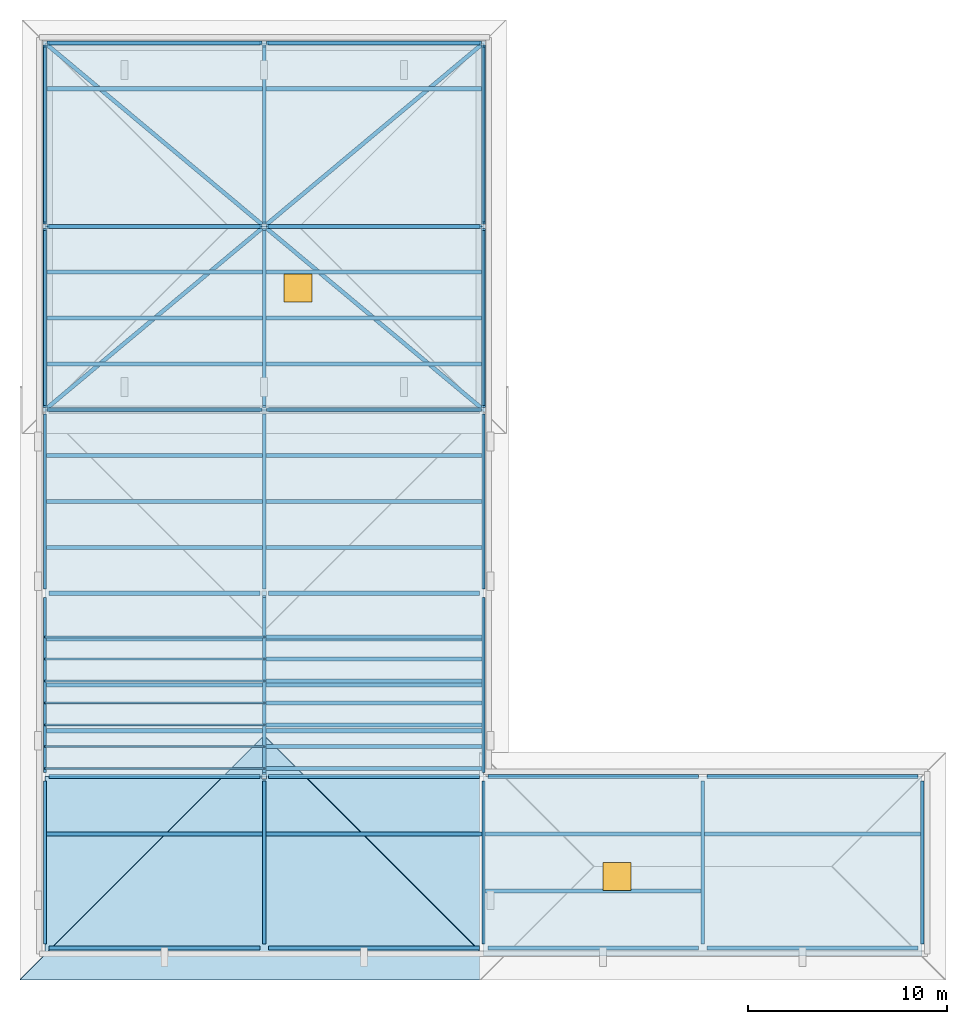
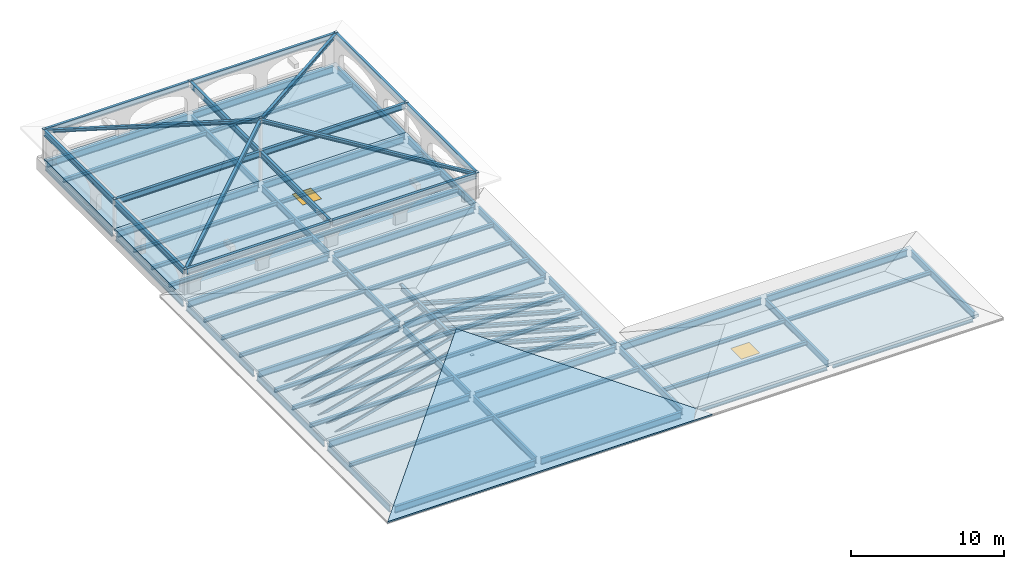
"""IFC4 building model written with IfcOpenShell, lengths in metres."""

from ifc_helpers import new_model, si_unit, direction, frame, origin, origin_2d, place, context, subcontext, project, spatial, polyline, rectangle, hollow_rectangle, i_section, outline, extrude, material, layer, layer_set, material_profile, profile_set, type_object, element, fill, save


model = new_model("IFC4")

# Units and contexts
model_context = context("Model", 3, precision=1e-05, world=origin(), true_north=direction((0.0, 1.0)))
body_context = subcontext(model_context, "Body", "Model", "MODEL_VIEW")
ifc_project = project(units=[si_unit("LENGTHUNIT", "METRE"), si_unit("AREAUNIT", "SQUARE_METRE"), si_unit("VOLUMEUNIT", "CUBIC_METRE"), si_unit("PLANEANGLEUNIT", "RADIAN"), si_unit("MASSUNIT", "GRAM", prefix="KILO")], contexts=[model_context])

# Site, building, storey
site_placement = place(None, origin())
site = spatial("IfcSite", under=ifc_project, at=site_placement, CompositionType="ELEMENT")
building_placement = place(site_placement, origin())
building = spatial("IfcBuilding", under=site, at=building_placement, Name="Caurita Quay Ferry Terminal", CompositionType="ELEMENT")
storey_1_placement = place(building_placement, frame((0.0, 0.0, 22.5)))
storey_1 = spatial("IfcBuildingStorey", under=building, at=storey_1_placement, Name="RF", CompositionType="ELEMENT", Elevation=22.5)

# Beams
ifc_material_1 = material(Name="Structural steel ASTM A992 Gr. 50", Category="steel")
ifc_material_profile_1 = material_profile(ifc_material_1, i_section(OverallWidth=0.193115234375, OverallDepth=0.46728515625, WebThickness=0.011474609375, FlangeThickness=0.01904296875, FilletRadius=0.0126953125, at=origin_2d()), Name="W18X65")
ifc_profile_set_1 = profile_set([ifc_material_profile_1], Name="Structural steel ASTM A992 Gr. 50")
beam_type_1 = type_object("IfcBeamType", Name="BM-GR-W18A", PredefinedType="BEAM", material=ifc_profile_set_1)
beam_1_placement = place(storey_1_placement, frame((11.0, 80.199951171875, 2.679931640625), z_axis=(0.0, 1.0, 0.0), x_axis=(-1.0, 0.0, 0.0)))
element("IfcBeam", 1, at=beam_1_placement, inside=storey_1, type_object=beam_type_1, Name="Spanish Colonial Roof Ridge Beam", PredefinedType="BEAM", context=body_context, shape_type="SweptSolid", body=[
    extrude(i_section(OverallWidth=0.193115234375, OverallDepth=0.46728515625, WebThickness=0.011474609375, FlangeThickness=0.01904296875, FilletRadius=0.0126953125, at=origin_2d()), origin(), (0.0, 0.0, 1.0), 9.199951171875),
])
for number, where, z_axis, x_axis, name in (
    (2, (0.090087890625, 98.60009765625, 2.169921875), (1.0, 0.0, 0.0), (0.0, 1.0, 0.0), "Mirador Belvedere Eave Ring Beam 01"),
    (3, (11.090087890625, 98.60009765625, 2.169921875), (1.0, 0.0, 0.0), (0.0, 1.0, 0.0), "Mirador Belvedere Eave Ring Beam 02"),
    (4, (0.090087890625, 117.0, 2.169921875), (1.0, 0.0, 0.0), (0.0, 1.0, 0.0), "Mirador Belvedere Eave Ring Beam 03"),
    (5, (11.090087890625, 117.0, 2.169921875), (1.0, 0.0, 0.0), (0.0, 1.0, 0.0), "Mirador Belvedere Eave Ring Beam 04"),
):
    element("IfcBeam", number, at=place(storey_1_placement, frame(where, z_axis=z_axis, x_axis=x_axis)), inside=storey_1, type_object=beam_type_1, Name=name, PredefinedType="BEAM", context=body_context, shape_type="SweptSolid", body=[
        extrude(i_section(OverallWidth=0.193115234375, OverallDepth=0.46728515625, WebThickness=0.011474609375, FlangeThickness=0.01904296875, FilletRadius=0.0126953125, at=origin_2d()), origin(), (0.0, 0.0, 1.0), 10.81982421875),
    ])
for number, where, z_axis, x_axis, name in (
    (6, (0.0, 98.68994140625, 2.169921875), (0.0, 1.0, 0.0), (-1.0, 0.0, 0.0), "Mirador Belvedere Eave Ring Beam 05"),
    (7, (0.0, 107.889892578125, 2.169921875), (0.0, 1.0, 0.0), (-1.0, 0.0, 0.0), "Mirador Belvedere Eave Ring Beam 06"),
    (8, (22.0, 98.68994140625, 2.169921875), (0.0, 1.0, 0.0), (-1.0, 0.0, 0.0), "Mirador Belvedere Eave Ring Beam 07"),
    (9, (22.0, 107.889892578125, 2.169921875), (0.0, 1.0, 0.0), (-1.0, 0.0, 0.0), "Mirador Belvedere Eave Ring Beam 08"),
):
    element("IfcBeam", number, at=place(storey_1_placement, frame(where, z_axis=z_axis, x_axis=x_axis)), inside=storey_1, type_object=beam_type_1, Name=name, PredefinedType="BEAM", context=body_context, shape_type="SweptSolid", body=[
        extrude(i_section(OverallWidth=0.193115234375, OverallDepth=0.46728515625, WebThickness=0.011474609375, FlangeThickness=0.01904296875, FilletRadius=0.0126953125, at=origin_2d()), origin(), (0.0, 0.0, 1.0), 9.02001953125),
    ])
for number, where, z_axis, x_axis, name in (
    (10, (0.090087890625, 107.800048828125, 2.169921875), (1.0, 0.0, 0.0), (0.0, 1.0, 0.0), "Mirador Belvedere Eave Ring Beam 09"),
    (11, (11.090087890625, 107.800048828125, 2.169921875), (1.0, 0.0, 0.0), (0.0, 1.0, 0.0), "Mirador Belvedere Eave Ring Beam 10"),
):
    element("IfcBeam", number, at=place(storey_1_placement, frame(where, z_axis=z_axis, x_axis=x_axis)), inside=storey_1, type_object=beam_type_1, Name=name, PredefinedType="BEAM", context=body_context, shape_type="SweptSolid", body=[
        extrude(i_section(OverallWidth=0.193115234375, OverallDepth=0.46728515625, WebThickness=0.011474609375, FlangeThickness=0.01904296875, FilletRadius=0.0126953125, at=origin_2d()), origin(), (0.0, 0.0, 1.0), 10.81982421875),
    ])
for number, where, z_axis, x_axis, name in (
    (12, (11.0, 98.68994140625, 2.169921875), (0.0, 1.0, 0.0), (-1.0, 0.0, 0.0), "Mirador Belvedere Eave Ring Beam 11"),
    (13, (11.0, 107.889892578125, 2.169921875), (0.0, 1.0, 0.0), (-1.0, 0.0, 0.0), "Mirador Belvedere Eave Ring Beam 12"),
):
    element("IfcBeam", number, at=place(storey_1_placement, frame(where, z_axis=z_axis, x_axis=x_axis)), inside=storey_1, type_object=beam_type_1, Name=name, PredefinedType="BEAM", context=body_context, shape_type="SweptSolid", body=[
        extrude(i_section(OverallWidth=0.193115234375, OverallDepth=0.46728515625, WebThickness=0.011474609375, FlangeThickness=0.01904296875, FilletRadius=0.0126953125, at=origin_2d()), origin(), (0.0, 0.0, 1.0), 9.02001953125),
    ])
ifc_material_profile_2 = material_profile(ifc_material_1, i_section(OverallWidth=0.210693359375, OverallDepth=0.53857421875, WebThickness=0.01171875, FlangeThickness=0.018798828125, FilletRadius=0.013916015625, at=origin_2d()), Name="W21X73")
ifc_profile_set_2 = profile_set([ifc_material_profile_2], Name="Structural steel ASTM A992 Gr. 50")
beam_type_2 = type_object("IfcBeamType", Name="BM-GR-W21A", PredefinedType="BEAM", material=ifc_profile_set_2)
for number, where, z_axis, x_axis, name in (
    (14, (0.21240234375, 71.60009765625, -0.479248046875), (1.0, 0.0, 0.0), (0.0, 1.0, 0.0), "RF Beam BM-V5-RF-X-2-716"),
    (15, (11.21240234375, 71.60009765625, -0.479248046875), (1.0, 0.0, 0.0), (0.0, 1.0, 0.0), "RF Beam BM-V5-RF-X-112-716"),
    (16, (22.21240234375, 71.60009765625, -0.479248046875), (1.0, 0.0, 0.0), (0.0, 1.0, 0.0), "RF Beam BM-V5-RF-X-222-716"),
    (17, (33.21240234375, 71.60009765625, -0.479248046875), (1.0, 0.0, 0.0), (0.0, 1.0, 0.0), "RF Beam BM-V5-RF-X-332-716"),
    (18, (0.21240234375, 80.199951171875, -0.479248046875), (1.0, 0.0, 0.0), (0.0, 1.0, 0.0), "RF Beam BM-V5-RF-X-2-802"),
    (19, (11.21240234375, 80.199951171875, -0.479248046875), (1.0, 0.0, 0.0), (0.0, 1.0, 0.0), "RF Beam BM-V5-RF-X-112-802"),
    (20, (22.21240234375, 80.199951171875, -0.479248046875), (1.0, 0.0, 0.0), (0.0, 1.0, 0.0), "RF Beam BM-V5-RF-X-222-802"),
    (21, (33.21240234375, 80.199951171875, -0.479248046875), (1.0, 0.0, 0.0), (0.0, 1.0, 0.0), "RF Beam BM-V5-RF-X-332-802"),
    (22, (0.21240234375, 89.39990234375, -0.479248046875), (1.0, 0.0, 0.0), (0.0, 1.0, 0.0), "RF Beam BM-V5-RF-X-2-894"),
    (23, (11.21240234375, 89.39990234375, -0.479248046875), (1.0, 0.0, 0.0), (0.0, 1.0, 0.0), "RF Beam BM-V5-RF-X-112-894"),
    (24, (0.21240234375, 98.60009765625, -0.479248046875), (1.0, 0.0, 0.0), (0.0, 1.0, 0.0), "RF Beam BM-V5-RF-X-2-986"),
    (25, (11.21240234375, 98.60009765625, -0.479248046875), (1.0, 0.0, 0.0), (0.0, 1.0, 0.0), "RF Beam BM-V5-RF-X-112-986"),
    (26, (0.21240234375, 107.800048828125, -0.479248046875), (1.0, 0.0, 0.0), (0.0, 1.0, 0.0), "RF Beam BM-V5-RF-X-2-1078"),
    (27, (11.21240234375, 107.800048828125, -0.479248046875), (1.0, 0.0, 0.0), (0.0, 1.0, 0.0), "RF Beam BM-V5-RF-X-112-1078"),
    (28, (0.21240234375, 117.0, -0.479248046875), (1.0, 0.0, 0.0), (0.0, 1.0, 0.0), "RF Beam BM-V5-RF-X-2-1170"),
    (29, (11.21240234375, 117.0, -0.479248046875), (1.0, 0.0, 0.0), (0.0, 1.0, 0.0), "RF Beam BM-V5-RF-X-112-1170"),
):
    element("IfcBeam", number, at=place(storey_1_placement, frame(where, z_axis=z_axis, x_axis=x_axis)), inside=storey_1, type_object=beam_type_2, Name=name, PredefinedType="BEAM", context=body_context, shape_type="SweptSolid", body=[
        extrude(i_section(OverallWidth=0.210693359375, OverallDepth=0.53857421875, WebThickness=0.01171875, FlangeThickness=0.018798828125, FilletRadius=0.013916015625, at=origin_2d()), origin(), (0.0, 0.0, 1.0), 10.5751953125),
    ])
ifc_material_profile_3 = material_profile(ifc_material_1, i_section(OverallWidth=0.20458984375, OverallDepth=0.307373046875, WebThickness=0.008544921875, FlangeThickness=0.0146484375, FilletRadius=0.0126953125, at=origin_2d()), Name="W12X45")
ifc_profile_set_3 = profile_set([ifc_material_profile_3], Name="Structural steel ASTM A992 Gr. 50")
beam_type_3 = type_object("IfcBeamType", Name="BM-JS-W12B", PredefinedType="JOIST", material=ifc_profile_set_3)
for number, where, z_axis, x_axis, name in (
    (30, (0.083251953125, 77.333251953125, -0.363525390625), (1.0, 0.0, 0.0), (0.0, 1.0, 0.0), "RF Beam JS-V5-RF-001"),
    (31, (0.083251953125, 82.5, -0.363525390625), (1.0, 0.0, 0.0), (0.0, 1.0, 0.0), "RF Beam JS-V5-RF-002"),
    (32, (0.083251953125, 84.800048828125, -0.363525390625), (1.0, 0.0, 0.0), (0.0, 1.0, 0.0), "RF Beam JS-V5-RF-003"),
    (33, (0.083251953125, 87.10009765625, -0.363525390625), (1.0, 0.0, 0.0), (0.0, 1.0, 0.0), "RF Beam JS-V5-RF-004"),
    (34, (0.083251953125, 91.699951171875, -0.363525390625), (1.0, 0.0, 0.0), (0.0, 1.0, 0.0), "RF Beam JS-V5-RF-005"),
    (35, (0.083251953125, 94.0, -0.363525390625), (1.0, 0.0, 0.0), (0.0, 1.0, 0.0), "RF Beam JS-V5-RF-006"),
    (36, (0.083251953125, 96.300048828125, -0.363525390625), (1.0, 0.0, 0.0), (0.0, 1.0, 0.0), "RF Beam JS-V5-RF-007"),
    (37, (0.083251953125, 100.89990234375, -0.363525390625), (1.0, 0.0, 0.0), (0.0, 1.0, 0.0), "RF Beam JS-V5-RF-008"),
    (38, (0.083251953125, 103.199951171875, -0.363525390625), (1.0, 0.0, 0.0), (0.0, 1.0, 0.0), "RF Beam JS-V5-RF-009"),
    (39, (0.083251953125, 105.5, -0.363525390625), (1.0, 0.0, 0.0), (0.0, 1.0, 0.0), "RF Beam JS-V5-RF-010"),
    (40, (0.083251953125, 114.699951171875, -0.363525390625), (1.0, 0.0, 0.0), (0.0, 1.0, 0.0), "RF Beam JS-V5-RF-011"),
    (41, (11.083251953125, 77.333251953125, -0.363525390625), (1.0, 0.0, 0.0), (0.0, 1.0, 0.0), "RF Beam JS-V5-RF-012"),
    (42, (11.083251953125, 82.5, -0.363525390625), (1.0, 0.0, 0.0), (0.0, 1.0, 0.0), "RF Beam JS-V5-RF-013"),
    (43, (11.083251953125, 84.800048828125, -0.363525390625), (1.0, 0.0, 0.0), (0.0, 1.0, 0.0), "RF Beam JS-V5-RF-014"),
    (44, (11.083251953125, 87.10009765625, -0.363525390625), (1.0, 0.0, 0.0), (0.0, 1.0, 0.0), "RF Beam JS-V5-RF-015"),
    (45, (11.083251953125, 91.699951171875, -0.363525390625), (1.0, 0.0, 0.0), (0.0, 1.0, 0.0), "RF Beam JS-V5-RF-016"),
    (46, (11.083251953125, 94.0, -0.363525390625), (1.0, 0.0, 0.0), (0.0, 1.0, 0.0), "RF Beam JS-V5-RF-017"),
    (47, (11.083251953125, 96.300048828125, -0.363525390625), (1.0, 0.0, 0.0), (0.0, 1.0, 0.0), "RF Beam JS-V5-RF-018"),
    (48, (11.083251953125, 100.89990234375, -0.363525390625), (1.0, 0.0, 0.0), (0.0, 1.0, 0.0), "RF Beam JS-V5-RF-019"),
    (49, (11.083251953125, 103.199951171875, -0.363525390625), (1.0, 0.0, 0.0), (0.0, 1.0, 0.0), "RF Beam JS-V5-RF-020"),
    (50, (11.083251953125, 105.5, -0.363525390625), (1.0, 0.0, 0.0), (0.0, 1.0, 0.0), "RF Beam JS-V5-RF-021"),
    (51, (11.083251953125, 114.699951171875, -0.363525390625), (1.0, 0.0, 0.0), (0.0, 1.0, 0.0), "RF Beam JS-V5-RF-022"),
    (52, (22.083251953125, 74.466796875, -0.363525390625), (1.0, 0.0, 0.0), (0.0, 1.0, 0.0), "RF Beam JS-V5-RF-023"),
    (53, (22.083251953125, 77.333251953125, -0.363525390625), (1.0, 0.0, 0.0), (0.0, 1.0, 0.0), "RF Beam JS-V5-RF-024"),
    (54, (33.083251953125, 77.333251953125, -0.363525390625), (1.0, 0.0, 0.0), (0.0, 1.0, 0.0), "RF Beam JS-V5-RF-025"),
):
    element("IfcBeam", number, at=place(storey_1_placement, frame(where, z_axis=z_axis, x_axis=x_axis)), inside=storey_1, type_object=beam_type_3, Name=name, PredefinedType="JOIST", context=body_context, shape_type="SweptSolid", body=[
        extrude(i_section(OverallWidth=0.20458984375, OverallDepth=0.307373046875, WebThickness=0.008544921875, FlangeThickness=0.0146484375, FilletRadius=0.0126953125, at=origin_2d()), origin(), (0.0, 0.0, 1.0), 10.83349609375),
    ])
ifc_material_profile_4 = material_profile(ifc_material_1, i_section(OverallWidth=0.16650390625, OverallDepth=0.535888671875, WebThickness=0.01025390625, FlangeThickness=0.0166015625, FilletRadius=0.013916015625, at=origin_2d()), Name="W21X57")
ifc_profile_set_4 = profile_set([ifc_material_profile_4], Name="Structural steel ASTM A992 Gr. 50")
beam_type_4 = type_object("IfcBeamType", Name="BM-SP-W21B", PredefinedType="SPANDREL", material=ifc_profile_set_4)
beam_2_placement = place(storey_1_placement, frame((0.0, 71.8125, -0.477783203125), z_axis=(0.0, 1.0, 0.0), x_axis=(-1.0, 0.0, 0.0)))
element("IfcBeam", 55, at=beam_2_placement, inside=storey_1, type_object=beam_type_4, Name="RF Beam BM-V5-RF-Y-0-718", PredefinedType="SPANDREL", context=body_context, shape_type="SweptSolid", body=[
    extrude(i_section(OverallWidth=0.16650390625, OverallDepth=0.535888671875, WebThickness=0.01025390625, FlangeThickness=0.0166015625, FilletRadius=0.013916015625, at=origin_2d()), origin(), (0.0, 0.0, 1.0), 8.175048828125),
])
for number, where, z_axis, x_axis, name in (
    (56, (0.0, 80.41259765625, -0.477783203125), (0.0, 1.0, 0.0), (-1.0, 0.0, 0.0), "RF Beam BM-V5-RF-Y-0-804"),
    (57, (0.0, 89.612548828125, -0.477783203125), (0.0, 1.0, 0.0), (-1.0, 0.0, 0.0), "RF Beam BM-V5-RF-Y-0-896"),
    (58, (0.0, 98.8125, -0.477783203125), (0.0, 1.0, 0.0), (-1.0, 0.0, 0.0), "RF Beam BM-V5-RF-Y-0-988"),
):
    element("IfcBeam", number, at=place(storey_1_placement, frame(where, z_axis=z_axis, x_axis=x_axis)), inside=storey_1, type_object=beam_type_4, Name=name, PredefinedType="SPANDREL", context=body_context, shape_type="SweptSolid", body=[
        extrude(i_section(OverallWidth=0.16650390625, OverallDepth=0.535888671875, WebThickness=0.01025390625, FlangeThickness=0.0166015625, FilletRadius=0.013916015625, at=origin_2d()), origin(), (0.0, 0.0, 1.0), 8.77490234375),
    ])
beam_3_placement = place(storey_1_placement, frame((0.0, 108.012451171875, -0.477783203125), z_axis=(0.0, 1.0, 0.0), x_axis=(-1.0, 0.0, 0.0)))
element("IfcBeam", 59, at=beam_3_placement, inside=storey_1, type_object=beam_type_4, Name="RF Beam BM-V5-RF-Y-0-1080", PredefinedType="SPANDREL", context=body_context, shape_type="SweptSolid", body=[
    extrude(i_section(OverallWidth=0.16650390625, OverallDepth=0.535888671875, WebThickness=0.01025390625, FlangeThickness=0.0166015625, FilletRadius=0.013916015625, at=origin_2d()), origin(), (0.0, 0.0, 1.0), 8.775146484375),
])
beam_4_placement = place(storey_1_placement, frame((11.0, 71.8125, -0.477783203125), z_axis=(0.0, 1.0, 0.0), x_axis=(-1.0, 0.0, 0.0)))
element("IfcBeam", 60, at=beam_4_placement, inside=storey_1, type_object=beam_type_4, Name="RF Beam BM-V5-RF-Y-110-718", PredefinedType="SPANDREL", context=body_context, shape_type="SweptSolid", body=[
    extrude(i_section(OverallWidth=0.16650390625, OverallDepth=0.535888671875, WebThickness=0.01025390625, FlangeThickness=0.0166015625, FilletRadius=0.013916015625, at=origin_2d()), origin(), (0.0, 0.0, 1.0), 8.175048828125),
])
for number, where, z_axis, x_axis, name in (
    (61, (11.0, 80.41259765625, -0.477783203125), (0.0, 1.0, 0.0), (-1.0, 0.0, 0.0), "RF Beam BM-V5-RF-Y-110-804"),
    (62, (11.0, 89.612548828125, -0.477783203125), (0.0, 1.0, 0.0), (-1.0, 0.0, 0.0), "RF Beam BM-V5-RF-Y-110-896"),
    (63, (11.0, 98.8125, -0.477783203125), (0.0, 1.0, 0.0), (-1.0, 0.0, 0.0), "RF Beam BM-V5-RF-Y-110-988"),
):
    element("IfcBeam", number, at=place(storey_1_placement, frame(where, z_axis=z_axis, x_axis=x_axis)), inside=storey_1, type_object=beam_type_4, Name=name, PredefinedType="SPANDREL", context=body_context, shape_type="SweptSolid", body=[
        extrude(i_section(OverallWidth=0.16650390625, OverallDepth=0.535888671875, WebThickness=0.01025390625, FlangeThickness=0.0166015625, FilletRadius=0.013916015625, at=origin_2d()), origin(), (0.0, 0.0, 1.0), 8.77490234375),
    ])
beam_5_placement = place(storey_1_placement, frame((11.0, 108.012451171875, -0.477783203125), z_axis=(0.0, 1.0, 0.0), x_axis=(-1.0, 0.0, 0.0)))
element("IfcBeam", 64, at=beam_5_placement, inside=storey_1, type_object=beam_type_4, Name="RF Beam BM-V5-RF-Y-110-1080", PredefinedType="SPANDREL", context=body_context, shape_type="SweptSolid", body=[
    extrude(i_section(OverallWidth=0.16650390625, OverallDepth=0.535888671875, WebThickness=0.01025390625, FlangeThickness=0.0166015625, FilletRadius=0.013916015625, at=origin_2d()), origin(), (0.0, 0.0, 1.0), 8.775146484375),
])
beam_6_placement = place(storey_1_placement, frame((22.0, 71.8125, -0.477783203125), z_axis=(0.0, 1.0, 0.0), x_axis=(-1.0, 0.0, 0.0)))
element("IfcBeam", 65, at=beam_6_placement, inside=storey_1, type_object=beam_type_4, Name="RF Beam BM-V5-RF-Y-220-718", PredefinedType="SPANDREL", context=body_context, shape_type="SweptSolid", body=[
    extrude(i_section(OverallWidth=0.16650390625, OverallDepth=0.535888671875, WebThickness=0.01025390625, FlangeThickness=0.0166015625, FilletRadius=0.013916015625, at=origin_2d()), origin(), (0.0, 0.0, 1.0), 8.175048828125),
])
for number, where, z_axis, x_axis, name in (
    (66, (22.0, 80.41259765625, -0.477783203125), (0.0, 1.0, 0.0), (-1.0, 0.0, 0.0), "RF Beam BM-V5-RF-Y-220-804"),
    (67, (22.0, 89.612548828125, -0.477783203125), (0.0, 1.0, 0.0), (-1.0, 0.0, 0.0), "RF Beam BM-V5-RF-Y-220-896"),
    (68, (22.0, 98.8125, -0.477783203125), (0.0, 1.0, 0.0), (-1.0, 0.0, 0.0), "RF Beam BM-V5-RF-Y-220-988"),
):
    element("IfcBeam", number, at=place(storey_1_placement, frame(where, z_axis=z_axis, x_axis=x_axis)), inside=storey_1, type_object=beam_type_4, Name=name, PredefinedType="SPANDREL", context=body_context, shape_type="SweptSolid", body=[
        extrude(i_section(OverallWidth=0.16650390625, OverallDepth=0.535888671875, WebThickness=0.01025390625, FlangeThickness=0.0166015625, FilletRadius=0.013916015625, at=origin_2d()), origin(), (0.0, 0.0, 1.0), 8.77490234375),
    ])
beam_7_placement = place(storey_1_placement, frame((22.0, 108.012451171875, -0.477783203125), z_axis=(0.0, 1.0, 0.0), x_axis=(-1.0, 0.0, 0.0)))
element("IfcBeam", 69, at=beam_7_placement, inside=storey_1, type_object=beam_type_4, Name="RF Beam BM-V5-RF-Y-220-1080", PredefinedType="SPANDREL", context=body_context, shape_type="SweptSolid", body=[
    extrude(i_section(OverallWidth=0.16650390625, OverallDepth=0.535888671875, WebThickness=0.01025390625, FlangeThickness=0.0166015625, FilletRadius=0.013916015625, at=origin_2d()), origin(), (0.0, 0.0, 1.0), 8.775146484375),
])
for number, where, z_axis, x_axis, name in (
    (70, (33.0, 71.8125, -0.477783203125), (0.0, 1.0, 0.0), (-1.0, 0.0, 0.0), "RF Beam BM-V5-RF-Y-330-718"),
    (71, (44.0, 71.8125, -0.477783203125), (0.0, 1.0, 0.0), (-1.0, 0.0, 0.0), "RF Beam BM-V5-RF-Y-440-718"),
):
    element("IfcBeam", number, at=place(storey_1_placement, frame(where, z_axis=z_axis, x_axis=x_axis)), inside=storey_1, type_object=beam_type_4, Name=name, PredefinedType="SPANDREL", context=body_context, shape_type="SweptSolid", body=[
        extrude(i_section(OverallWidth=0.16650390625, OverallDepth=0.535888671875, WebThickness=0.01025390625, FlangeThickness=0.0166015625, FilletRadius=0.013916015625, at=origin_2d()), origin(), (0.0, 0.0, 1.0), 8.175048828125),
    ])

# Members
ifc_material_2 = material(Name="Hollow structural steel ASTM A500 Gr. C", Category="steel")
ifc_material_profile_5 = material_profile(ifc_material_2, hollow_rectangle(XDim=0.1015625, YDim=0.203125, WallThickness=0.00732421875, InnerFilletRadius=0.00732421875, OuterFilletRadius=0.014892578125, at=origin_2d()), Name="HSS8X4X5/16")
ifc_profile_set_5 = profile_set([ifc_material_profile_5], Name="Hollow structural steel ASTM A500 Gr. C")
member_type_1 = type_object("IfcMemberType", Name="MEM-RAF-08", PredefinedType="RAFTER", material=ifc_profile_set_5)
for number, where, z_axis, x_axis, name in (
    (72, (0.0, 80.60009765625, -0.35009765625), (0.964092610589, 0.0, 0.265566259544), (0.0, 1.0, 0.0), "Spanish Colonial Roof Rafter RAF-001"),
    (73, (0.0, 81.699951171875, -0.35009765625), (0.964092610589, 0.0, 0.265566259544), (0.0, 1.0, 0.0), "Spanish Colonial Roof Rafter RAF-003"),
    (74, (0.0, 82.800048828125, -0.35009765625), (0.964092610589, 0.0, 0.265566259544), (0.0, 1.0, 0.0), "Spanish Colonial Roof Rafter RAF-005"),
    (75, (0.0, 83.89990234375, -0.35009765625), (0.964092610589, 0.0, 0.265566259544), (0.0, 1.0, 0.0), "Spanish Colonial Roof Rafter RAF-007"),
    (76, (0.0, 85.0, -0.35009765625), (0.964092610589, 0.0, 0.265566259544), (0.0, 1.0, 0.0), "Spanish Colonial Roof Rafter RAF-009"),
    (77, (0.0, 86.10009765625, -0.35009765625), (0.964092610589, 0.0, 0.265566259544), (0.0, 1.0, 0.0), "Spanish Colonial Roof Rafter RAF-011"),
    (78, (0.0, 87.199951171875, -0.35009765625), (0.964092610589, 0.0, 0.265566259544), (0.0, 1.0, 0.0), "Spanish Colonial Roof Rafter RAF-013"),
):
    element("IfcMember", number, at=place(storey_1_placement, frame(where, z_axis=z_axis, x_axis=x_axis)), inside=storey_1, type_object=member_type_1, Name=name, PredefinedType="RAFTER", context=body_context, shape_type="SweptSolid", body=[
        extrude(hollow_rectangle(XDim=0.1015625, YDim=0.203125, WallThickness=0.00732421875, InnerFilletRadius=0.00732421875, OuterFilletRadius=0.014892578125, at=origin_2d()), origin(), (0.0, 0.0, 1.0), 11.40966796875),
    ])
ifc_material_profile_6 = material_profile(ifc_material_1, i_section(OverallWidth=0.2021484375, OverallDepth=0.246337890625, WebThickness=0.00732421875, FlangeThickness=0.010986328125, FilletRadius=0.01025390625, at=origin_2d()), Name="W10X33")
ifc_profile_set_6 = profile_set([ifc_material_profile_6], Name="Structural steel ASTM A992 Gr. 50")
member_type_2 = type_object("IfcMemberType", Name="MEM-RAF-10", PredefinedType="RAFTER", material=ifc_profile_set_6)
for number, where, z_axis, x_axis, name in (
    (79, (0.0, 98.60009765625, 2.219970703125), (0.755139446194, 0.631567821177, 0.175745566246), (-0.641553196963, 0.767078545826, 0.0), "Mirador Hip Rafter 01"),
    (80, (22.0, 98.60009765625, 2.219970703125), (-0.755139446194, 0.631567821177, 0.175745566246), (-0.641553196963, -0.767078545826, 0.0), "Mirador Hip Rafter 02"),
    (81, (0.0, 117.0, 2.219970703125), (0.755139446194, -0.631567821177, 0.175745566246), (0.641553196963, 0.767078545826, 0.0), "Mirador Hip Rafter 03"),
    (82, (22.0, 117.0, 2.219970703125), (-0.755139446194, -0.631567821177, 0.175745566246), (0.641553196963, -0.767078545826, 0.0), "Mirador Hip Rafter 04"),
):
    element("IfcMember", number, at=place(storey_1_placement, frame(where, z_axis=z_axis, x_axis=x_axis)), inside=storey_1, type_object=member_type_2, Name=name, PredefinedType="RAFTER", context=body_context, shape_type="SweptSolid", body=[
        extrude(i_section(OverallWidth=0.2021484375, OverallDepth=0.246337890625, WebThickness=0.00732421875, FlangeThickness=0.010986328125, FilletRadius=0.01025390625, at=origin_2d()), origin(), (0.0, 0.0, 1.0), 14.56689453125),
    ])
for number, where, z_axis, x_axis, name in (
    (83, (11.0, 80.60009765625, 2.679931640625), (0.964092610589, 0.0, -0.265566259544), (0.0, 1.0, 0.0), "Spanish Colonial Roof Rafter RAF-002"),
    (84, (11.0, 81.699951171875, 2.679931640625), (0.964092610589, 0.0, -0.265566259544), (0.0, 1.0, 0.0), "Spanish Colonial Roof Rafter RAF-004"),
    (85, (11.0, 82.800048828125, 2.679931640625), (0.964092610589, 0.0, -0.265566259544), (0.0, 1.0, 0.0), "Spanish Colonial Roof Rafter RAF-006"),
    (86, (11.0, 83.89990234375, 2.679931640625), (0.964092610589, 0.0, -0.265566259544), (0.0, 1.0, 0.0), "Spanish Colonial Roof Rafter RAF-008"),
    (87, (11.0, 85.0, 2.679931640625), (0.964092610589, 0.0, -0.265566259544), (0.0, 1.0, 0.0), "Spanish Colonial Roof Rafter RAF-010"),
    (88, (11.0, 86.10009765625, 2.679931640625), (0.964092610589, 0.0, -0.265566259544), (0.0, 1.0, 0.0), "Spanish Colonial Roof Rafter RAF-012"),
    (89, (11.0, 87.199951171875, 2.679931640625), (0.964092610589, 0.0, -0.265566259544), (0.0, 1.0, 0.0), "Spanish Colonial Roof Rafter RAF-014"),
):
    element("IfcMember", number, at=place(storey_1_placement, frame(where, z_axis=z_axis, x_axis=x_axis)), inside=storey_1, type_object=member_type_2, Name=name, PredefinedType="RAFTER", context=body_context, shape_type="SweptSolid", body=[
        extrude(i_section(OverallWidth=0.2021484375, OverallDepth=0.246337890625, WebThickness=0.00732421875, FlangeThickness=0.010986328125, FilletRadius=0.01025390625, at=origin_2d()), origin(), (0.0, 0.0, 1.0), 11.40966796875),
    ])

# Plates
ifc_material_3 = material(Name="Structural plate steel ASTM A572 Gr. 50", Category="steel")
ifc_layer_1 = layer(ifc_material_3, 0.01806640625, Name="Structural steel connection plate 18 mm")
ifc_layer_set_1 = layer_set([ifc_layer_1], Name="Structural plate steel ASTM A572 Gr. 50")
plate_type = type_object("IfcPlateType", Name="PLT-STL-18", PredefinedType="USERDEFINED", material=ifc_layer_set_1)
for number, where, z_axis, x_axis, name in (
    (90, (11.0, 80.199951171875, 2.848876953125), (0.0, 0.0, 1.0), (1.0, 0.0, 0.0), "Roof Ridge Post Cap Plate M"),
    (91, (11.0, 89.39990234375, 2.848876953125), (0.0, 0.0, 1.0), (1.0, 0.0, 0.0), "Roof Ridge Post Cap Plate N"),
    (92, (0.0, 98.60009765625, 2.39892578125), (0.0, 0.0, 1.0), (1.0, 0.0, 0.0), "Mirador Belvedere Column Cap Plate SW"),
    (93, (11.0, 98.60009765625, 2.39892578125), (0.0, 0.0, 1.0), (1.0, 0.0, 0.0), "Mirador Belvedere Column Cap Plate S"),
    (94, (22.0, 98.60009765625, 2.39892578125), (0.0, 0.0, 1.0), (1.0, 0.0, 0.0), "Mirador Belvedere Column Cap Plate SE"),
    (95, (0.0, 107.800048828125, 2.39892578125), (0.0, 0.0, 1.0), (1.0, 0.0, 0.0), "Mirador Belvedere Column Cap Plate W"),
    (96, (11.0, 107.800048828125, 4.9990234375), (0.0, 0.0, 1.0), (1.0, 0.0, 0.0), "Mirador Belvedere Column Cap Plate C"),
    (97, (22.0, 107.800048828125, 2.39892578125), (0.0, 0.0, 1.0), (1.0, 0.0, 0.0), "Mirador Belvedere Column Cap Plate E"),
    (98, (0.0, 117.0, 2.39892578125), (0.0, 0.0, 1.0), (1.0, 0.0, 0.0), "Mirador Belvedere Column Cap Plate NW"),
    (99, (11.0, 117.0, 2.39892578125), (0.0, 0.0, 1.0), (1.0, 0.0, 0.0), "Mirador Belvedere Column Cap Plate N"),
    (100, (22.0, 117.0, 2.39892578125), (0.0, 0.0, 1.0), (1.0, 0.0, 0.0), "Mirador Belvedere Column Cap Plate NE"),
):
    element("IfcPlate", number, at=place(storey_1_placement, frame(where, z_axis=z_axis, x_axis=x_axis)), inside=storey_1, type_object=plate_type, Name=name, ObjectType="GUSSET PLATE", PredefinedType="USERDEFINED", context=body_context, shape_type="SweptSolid", body=[
        extrude(rectangle(XDim=0.22998046875, YDim=0.22998046875, at=origin_2d()), origin(), (0.0, 0.0, 1.0), 0.01806640625),
    ])

# Slabs
ifc_material_4 = material(Name="Reinforced concrete C35/45", Category="concrete")
ifc_layer_2 = layer(ifc_material_4, 0.2099609375, Name="Reinforced concrete roof slab 210 mm")
ifc_layer_set_2 = layer_set([ifc_layer_2], Name="Reinforced concrete C35/45")
slab_type = type_object("IfcSlabType", Name="SLB-RF-210", PredefinedType="ROOF", material=ifc_layer_set_2)
slab_1_placement = place(storey_1_placement, frame((0.0, 0.0, -0.2099609375)))
element("IfcSlab", 101, at=slab_1_placement, inside=storey_1, type_object=slab_type, Name="RF V5-ATSLB Slab 01", PredefinedType="ROOF", context=body_context, shape_type="SweptSolid", body=[
    extrude(outline(polyline([(0.0, 71.199951171875), (22.0, 71.199951171875), (22.0, 80.199951171875), (0.0, 80.199951171875), (0.0, 71.199951171875)])), origin(), (0.0, 0.0, 1.0), 0.2099609375),
])
slab_2_placement = place(storey_1_placement, frame((0.0, 0.0, -0.2099609375)))
element("IfcSlab", 102, at=slab_2_placement, inside=storey_1, type_object=slab_type, Name="RF V5-ATSLB Slab 02", PredefinedType="ROOF", context=body_context, shape_type="SweptSolid", body=[
    extrude(outline(polyline([(0.0, 80.199951171875), (22.0, 80.199951171875), (22.0, 98.60009765625), (0.0, 98.60009765625), (0.0, 80.199951171875)])), origin(), (0.0, 0.0, 1.0), 0.2099609375),
])

# Slab, opening
slab_3_placement = place(storey_1_placement, frame((0.0, 0.0, -0.2099609375)))
slab_3 = element("IfcSlab", 103, at=slab_3_placement, inside=storey_1, type_object=slab_type, Name="RF V5-ATSLB Slab 03", PredefinedType="ROOF", context=body_context, shape_type="SweptSolid", body=[
    extrude(outline(polyline([(0.0, 98.60009765625), (22.0, 98.60009765625), (22.0, 107.800048828125), (0.0, 107.800048828125), (0.0, 98.60009765625)])), origin(), (0.0, 0.0, 1.0), 0.2099609375),
])
opening_1_placement = place(slab_3_placement, frame((12.699951171875, 104.699951171875, -0.010009765625)))
opening_1 = element("IfcOpeningElement", 104, at=opening_1_placement, cuts=slab_3, Name="Opening RH-01", PredefinedType="OPENING", context=body_context, shape_type="SweptSolid", body=[
    extrude(rectangle(XDim=1.39990234375, YDim=1.39990234375, at=origin_2d()), origin(), (0.0, 0.0, 1.0), 0.22998046875),
])

# Storey
storey_2_placement = place(building_placement, frame((0.0, 0.0, 18.300048828125)))
storey_2 = spatial("IfcBuildingStorey", under=building, at=storey_2_placement, Name="L04", CompositionType="ELEMENT", Elevation=18.300048828125)

# Door
ifc_material_5 = material(Name="Anodized aluminium 6063-T6", Category="aluminium")
door_type = type_object("IfcDoorType", Name="DR-HTCH-140", OperationType="NOTDEFINED", PredefinedType="TRAPDOOR", material=ifc_material_5)
door_1_placement = place(slab_3_placement, frame((12.699951171875, 104.699951171875, 0.14990234375)))
door_1 = element("IfcDoor", 105, at=door_1_placement, inside=storey_2, type_object=door_type, Name="Roof Maintenance Access Hatch 1", OperationType="SINGLE_SWING_LEFT", OverallHeight=1.39990234375, OverallWidth=1.39990234375, PredefinedType="TRAPDOOR", context=body_context, shape_type="SweptSolid", body=[
    extrude(rectangle(XDim=1.39990234375, YDim=1.39990234375, at=origin_2d()), origin(), (0.0, 0.0, 1.0), 0.06005859375),
])

fill(opening_1, door_1)

# Slab
slab_4_placement = place(storey_1_placement, frame((0.0, 0.0, -0.2099609375)))
element("IfcSlab", 106, at=slab_4_placement, inside=storey_1, type_object=slab_type, Name="RF V5-ATSLB Slab 04", PredefinedType="ROOF", context=body_context, shape_type="SweptSolid", body=[
    extrude(outline(polyline([(0.0, 107.800048828125), (22.0, 107.800048828125), (22.0, 117.0), (0.0, 117.0), (0.0, 107.800048828125)])), origin(), (0.0, 0.0, 1.0), 0.2099609375),
])

# Slab, opening, door
slab_5_placement = place(storey_1_placement, frame((0.0, 0.0, -0.2099609375)))
slab_5 = element("IfcSlab", 107, at=slab_5_placement, inside=storey_1, type_object=slab_type, Name="RF V5-ATSLB Slab 05", PredefinedType="ROOF", context=body_context, shape_type="SweptSolid", body=[
    extrude(outline(polyline([(22.0, 71.199951171875), (44.0, 71.199951171875), (44.0, 80.199951171875), (22.0, 80.199951171875), (22.0, 71.199951171875)])), origin(), (0.0, 0.0, 1.0), 0.2099609375),
])
opening_2_placement = place(slab_5_placement, frame((28.699951171875, 75.199951171875, -0.010009765625)))
opening_2 = element("IfcOpeningElement", 108, at=opening_2_placement, cuts=slab_5, Name="Opening RH-01", PredefinedType="OPENING", context=body_context, shape_type="SweptSolid", body=[
    extrude(rectangle(XDim=1.39990234375, YDim=1.39990234375, at=origin_2d()), origin(), (0.0, 0.0, 1.0), 0.22998046875),
])
door_2_placement = place(slab_5_placement, frame((28.699951171875, 75.199951171875, 0.14990234375)))
door_2 = element("IfcDoor", 109, at=door_2_placement, inside=storey_2, type_object=door_type, Name="Roof Maintenance Access Hatch 2", OperationType="SINGLE_SWING_LEFT", OverallHeight=1.39990234375, OverallWidth=1.39990234375, PredefinedType="TRAPDOOR", context=body_context, shape_type="SweptSolid", body=[
    extrude(rectangle(XDim=1.39990234375, YDim=1.39990234375, at=origin_2d()), origin(), (0.0, 0.0, 1.0), 0.06005859375),
])
fill(opening_2, door_2)

# Roof
ifc_material_6 = material(Name="Terracotta clay barrel tile", Category="masonry")
ifc_layer_3 = layer(ifc_material_6, 0.219970703125, Name="Spanish Colonial Revival pitched terracotta barrel-tile hipped roof")
ifc_layer_set_3 = layer_set([ifc_layer_3], Name="Terracotta clay barrel tile")
roof_type = type_object("IfcRoofType", Name="ROOF-TEJA-HIP", PredefinedType="HIP_ROOF", material=ifc_layer_set_3)
roof_placement = place(storey_1_placement, frame((-1.25, 70.0, 0.02001953125), z_axis=(0.0, -0.287701592342, 0.957720101994), x_axis=(1.0, 0.0, 0.0)))
element("IfcRoof", 110, at=roof_placement, inside=storey_1, type_object=roof_type, Name="Spanish Colonial Terracotta Hipped Roof V5-WEST-S", PredefinedType="HIP_ROOF", context=body_context, shape_type="SweptSolid", body=[
    extrude(outline(polyline([(0.0, 0.0), (24.5, 0.0), (12.25, 12.79079344214709), (0.0, 0.0)])), origin(), (0.0, 0.0, -1.0), 0.159912109375),
])

save(model, "model.ifc")
